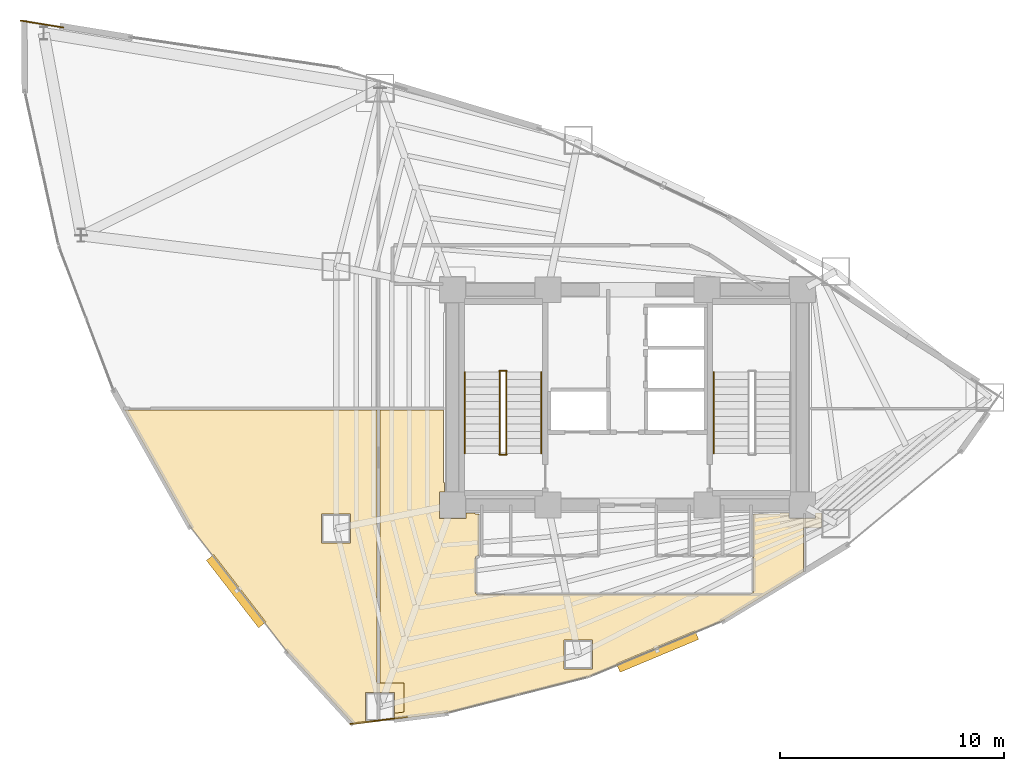
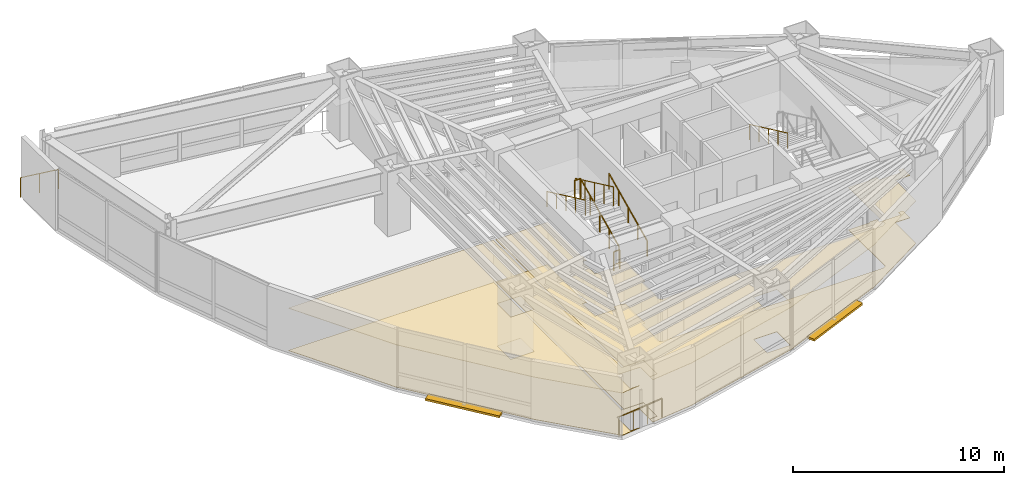
# One storey, part 22 of 23: 9 railings, 4 coverings, 2 shading devices.
"""IFC4 building model written with IfcOpenShell, lengths in metres."""

from ifc_helpers import new_model, si_unit, direction, frame, origin, origin_2d, place, context, subcontext, project, spatial, polyline, rectangle, circle, outline, extrude, material, layer, layer_set, type_object, element, save


model = new_model("IFC4")

# Units and contexts
model_context = context("Model", 3, precision=1e-05, world=origin(), true_north=direction((0.0, 1.0)))
body_context = subcontext(model_context, "Body", "Model", "MODEL_VIEW")
ifc_project = project(units=[si_unit("LENGTHUNIT", "METRE"), si_unit("AREAUNIT", "SQUARE_METRE"), si_unit("VOLUMEUNIT", "CUBIC_METRE"), si_unit("PLANEANGLEUNIT", "RADIAN"), si_unit("MASSUNIT", "GRAM", prefix="KILO")], contexts=[model_context])

# Site, building, storey
site_placement = place(None, origin())
site = spatial("IfcSite", under=ifc_project, at=site_placement, CompositionType="ELEMENT")
building_placement = place(site_placement, origin())
building = spatial("IfcBuilding", under=site, at=building_placement, Name="Menara Vayukalpa", CompositionType="ELEMENT")
storey_placement = place(building_placement, frame((0.0, 0.0, 111.419921875)))
storey = spatial("IfcBuildingStorey", under=building, at=storey_placement, Name="L27", CompositionType="ELEMENT", Elevation=111.419921875)

# Coverings
ifc_material_1 = material(Name="Mineral Fibre Acoustic Ceiling Tile", Category="masonry")
ifc_layer_1 = layer(ifc_material_1, 0.02490234375)
ifc_layer_set_1 = layer_set([ifc_layer_1], Name="Mineral Fibre Acoustic Ceiling Tile")
covering_type_1 = type_object("IfcCoveringType", Name="COV-CLG1", PredefinedType="CEILING", material=ifc_layer_set_1)
covering_1_placement = place(storey_placement, frame((0.0, 0.0, 2.4501953125)))
element("IfcCovering", 1, at=covering_1_placement, inside=storey, type_object=covering_type_1, Name="L27 Open Plan Office Workplace Acoustic Ceiling", PredefinedType="CEILING", context=body_context, shape_type="SweptSolid", body=[
    extrude(outline(polyline([(15.629150390625, 7.968505859375), (15.208984375, 7.916259765625), (15.208984375, 8.842529296875), (13.92919921875, 8.842529296875), (13.92919921875, 7.5625), (14.43994140625, 7.5625), (14.43994140625, 7.556884765625), (14.43994140625, 7.555908203125), (14.439697265625, 7.55517578125), (14.439697265625, 7.55419921875), (14.439208984375, 7.55322265625), (14.43896484375, 7.552490234375), (14.4384765625, 7.551513671875), (14.437744140625, 7.55078125), (14.437255859375, 7.550048828125), (14.4365234375, 7.54931640625), (14.435791015625, 7.548828125), (14.434814453125, 7.54833984375), (14.43408203125, 7.5478515625), (14.43310546875, 7.547607421875), (14.43212890625, 7.547119140625), (14.43115234375, 7.547119140625), (13.4052734375, 7.419189453125), (13.404296875, 7.419189453125), (13.4033203125, 7.419189453125), (13.402587890625, 7.419189453125), (13.401611328125, 7.41943359375), (13.400634765625, 7.419677734375), (13.39990234375, 7.420166015625), (13.39892578125, 7.42041015625), (13.398193359375, 7.421142578125), (13.3974609375, 7.421630859375), (13.396728515625, 7.42236328125), (10.439208984375, 10.650634765625), (10.438720703125, 10.6513671875), (6.10546875, 16.248046875), (6.104736328125, 16.249267578125), (3.193603515625, 21.425048828125), (3.193115234375, 21.426025390625), (3.192626953125, 21.427001953125), (3.1923828125, 21.427978515625), (3.1923828125, 21.4287109375), (3.192138671875, 21.4296875), (3.192138671875, 21.430908203125), (3.1923828125, 21.431884765625), (3.192626953125, 21.432861328125), (3.19287109375, 21.43359375), (3.193359375, 21.4345703125), (3.19384765625, 21.435546875), (3.1943359375, 21.436279296875), (3.195068359375, 21.43701171875), (3.19580078125, 21.437744140625), (3.196533203125, 21.438232421875), (3.197509765625, 21.438720703125), (3.1982421875, 21.439208984375), (3.19921875, 21.439697265625), (3.2001953125, 21.439697265625), (3.201171875, 21.43994140625), (3.2021484375, 21.43994140625), (14.429931640625, 21.43994140625), (14.430908203125, 21.43994140625), (14.431884765625, 21.439697265625), (14.432861328125, 21.439697265625), (14.433837890625, 21.439208984375), (14.434814453125, 21.438720703125), (14.435546875, 21.438232421875), (14.436279296875, 21.437744140625), (14.43701171875, 21.43701171875), (14.437744140625, 21.436279296875), (14.438232421875, 21.435546875), (14.438720703125, 21.434814453125), (14.439208984375, 21.433837890625), (14.439697265625, 21.432861328125), (14.439697265625, 21.431884765625), (14.43994140625, 21.430908203125), (14.43994140625, 21.429931640625), (14.43994140625, 9.2626953125), (15.629150390625, 9.2626953125), (15.629150390625, 7.968505859375)]), holes=[polyline([(13.24658203125, 16.794189453125), (11.966552734375, 16.794189453125), (11.966552734375, 15.514404296875), (13.24658203125, 15.514404296875), (13.24658203125, 16.794189453125)])]), origin(), (0.0, 0.0, 1.0), 0.02490234375),
])
covering_2_placement = place(storey_placement, frame((0.0, 0.0, 2.4501953125)))
element("IfcCovering", 2, at=covering_2_placement, inside=storey, type_object=covering_type_1, Name="L27 Open Plan Office Workplace Acoustic Ceiling", PredefinedType="CEILING", context=body_context, shape_type="SweptSolid", body=[
    extrude(outline(polyline([(13.509033203125, 9.2626953125), (14.56005859375, 9.2626953125), (14.56005859375, 21.429931640625), (14.56005859375, 21.430908203125), (14.560302734375, 21.431884765625), (14.560302734375, 21.432861328125), (14.560791015625, 21.433837890625), (14.561279296875, 21.434814453125), (14.561767578125, 21.435546875), (14.562255859375, 21.436279296875), (14.56298828125, 21.43701171875), (14.563720703125, 21.437744140625), (14.564453125, 21.438232421875), (14.565185546875, 21.438720703125), (14.566162109375, 21.439208984375), (14.567138671875, 21.439697265625), (14.568115234375, 21.439697265625), (14.569091796875, 21.43994140625), (14.570068359375, 21.43994140625), (17.3798828125, 21.43994140625), (17.381103515625, 21.43994140625), (17.382080078125, 21.439697265625), (17.3828125, 21.439697265625), (17.3837890625, 21.439208984375), (17.384765625, 21.438720703125), (17.385498046875, 21.438232421875), (17.38623046875, 21.437744140625), (17.38720703125, 21.43701171875), (17.3876953125, 21.436279296875), (17.38818359375, 21.435546875), (17.388916015625, 21.434814453125), (17.38916015625, 21.433837890625), (17.3896484375, 21.432861328125), (17.389892578125, 21.431884765625), (17.389892578125, 21.430908203125), (17.389892578125, 21.429931640625), (17.389892578125, 18.2099609375), (17.449951171875, 18.2099609375), (17.449951171875, 17.7900390625), (17.2099609375, 17.7900390625), (17.2099609375, 16.610107421875), (18.389892578125, 16.610107421875), (18.389892578125, 16.85009765625), (18.81005859375, 16.85009765625), (18.81005859375, 16.7900390625), (18.97998046875, 16.7900390625), (18.98095703125, 16.7900390625), (18.98193359375, 16.789794921875), (18.98291015625, 16.78955078125), (18.98388671875, 16.789306640625), (18.984619140625, 16.788818359375), (18.985595703125, 16.788330078125), (18.986328125, 16.78759765625), (18.987060546875, 16.787109375), (18.98779296875, 16.786376953125), (18.98828125, 16.78564453125), (18.98876953125, 16.78466796875), (18.9892578125, 16.78369140625), (18.989501953125, 16.782958984375), (18.98974609375, 16.781982421875), (18.989990234375, 16.781005859375), (18.989990234375, 16.780029296875), (18.989990234375, 14.929931640625), (18.989990234375, 14.928955078125), (18.98974609375, 14.927978515625), (18.989501953125, 14.927001953125), (18.9892578125, 14.92626953125), (18.98876953125, 14.92529296875), (18.98828125, 14.92431640625), (18.98779296875, 14.923583984375), (18.987060546875, 14.9228515625), (18.986328125, 14.92236328125), (18.985595703125, 14.921630859375), (18.984619140625, 14.921142578125), (18.98388671875, 14.9208984375), (18.98291015625, 14.92041015625), (18.98193359375, 14.920166015625), (18.98095703125, 14.919921875), (18.97998046875, 14.919921875), (18.900390625, 14.919921875), (18.893310546875, 14.919677734375), (18.88623046875, 14.918701171875), (18.879638671875, 14.9169921875), (18.873291015625, 14.914794921875), (18.866943359375, 14.911865234375), (18.861083984375, 14.908203125), (18.85546875, 14.904052734375), (18.8505859375, 14.8994140625), (18.845947265625, 14.89453125), (18.841796875, 14.888916015625), (18.838134765625, 14.883056640625), (18.835205078125, 14.876708984375), (18.8330078125, 14.870361328125), (18.831298828125, 14.86376953125), (18.830322265625, 14.856689453125), (18.830078125, 14.849609375), (18.830078125, 13.290283203125), (18.830322265625, 13.283203125), (18.831298828125, 13.2763671875), (18.8330078125, 13.269775390625), (18.835205078125, 13.26318359375), (18.838134765625, 13.257080078125), (18.841796875, 13.251220703125), (18.845947265625, 13.24560546875), (18.8505859375, 13.240478515625), (18.85546875, 13.236083984375), (18.861083984375, 13.231689453125), (18.866943359375, 13.228271484375), (18.873291015625, 13.225341796875), (18.879638671875, 13.222900390625), (18.88623046875, 13.22119140625), (18.893310546875, 13.220458984375), (18.900390625, 13.219970703125), (31.048828125, 13.219970703125), (31.055419921875, 13.22021484375), (31.0615234375, 13.22119140625), (31.06787109375, 13.22265625), (31.073974609375, 13.224609375), (31.079833984375, 13.22705078125), (31.085693359375, 13.230224609375), (31.186279296875, 13.29150390625), (31.192138671875, 13.295654296875), (31.19775390625, 13.30029296875), (31.202880859375, 13.305419921875), (31.207275390625, 13.31103515625), (31.2109375, 13.317138671875), (31.214111328125, 13.323486328125), (31.216796875, 13.330078125), (31.218505859375, 13.337158203125), (31.219482421875, 13.34423828125), (31.219970703125, 13.3515625), (31.219970703125, 14.849609375), (31.219482421875, 14.856689453125), (31.21875, 14.86376953125), (31.217041015625, 14.870361328125), (31.214599609375, 14.876708984375), (31.2119140625, 14.8828125), (31.211669921875, 14.883056640625), (31.211181640625, 14.8837890625), (31.210693359375, 14.884765625), (31.21044921875, 14.8857421875), (31.210205078125, 14.88671875), (31.2099609375, 14.8876953125), (31.2099609375, 14.888671875), (31.2099609375, 16.780029296875), (31.2099609375, 16.781005859375), (31.210205078125, 16.781982421875), (31.21044921875, 16.782958984375), (31.210693359375, 16.78369140625), (31.211181640625, 16.78466796875), (31.211669921875, 16.78564453125), (31.21240234375, 16.786376953125), (31.212890625, 16.787109375), (31.213623046875, 16.78759765625), (31.21435546875, 16.788330078125), (31.21533203125, 16.788818359375), (31.21630859375, 16.789306640625), (31.217041015625, 16.78955078125), (31.218017578125, 16.789794921875), (31.218994140625, 16.7900390625), (31.219970703125, 16.7900390625), (32.389892578125, 16.7900390625), (32.389892578125, 16.85009765625), (32.81005859375, 16.85009765625), (32.81005859375, 16.610107421875), (33.989990234375, 16.610107421875), (33.989990234375, 16.85009765625), (34.246826171875, 16.85009765625), (34.246826171875, 16.18994140625), (33.43994140625, 16.18994140625), (33.43994140625, 14.240966796875), (33.440185546875, 14.235107421875), (33.440185546875, 14.23486328125), (33.4404296875, 14.23388671875), (33.4404296875, 14.23291015625), (33.440185546875, 14.23193359375), (33.440185546875, 14.23095703125), (33.439697265625, 14.22998046875), (33.439453125, 14.229248046875), (33.43896484375, 14.228271484375), (33.4384765625, 14.2275390625), (33.437744140625, 14.226806640625), (33.43701171875, 14.22607421875), (33.436279296875, 14.2255859375), (33.435546875, 14.22509765625), (29.862060546875, 12.05419921875), (29.861328125, 12.0537109375), (29.860595703125, 12.053466796875), (23.90478515625, 9.562255859375), (23.903564453125, 9.561767578125), (17.50927734375, 7.930908203125), (17.5078125, 7.9306640625), (15.208984375, 7.64404296875), (15.208984375, 8.842529296875), (13.92919921875, 8.842529296875), (13.92919921875, 7.756591796875), (13.509033203125, 7.7041015625), (13.509033203125, 9.2626953125)]), holes=[polyline([(24.048095703125, 11.172607421875), (22.768310546875, 11.172607421875), (22.768310546875, 9.892578125), (24.048095703125, 9.892578125), (24.048095703125, 11.172607421875)])]), origin(), (0.0, 0.0, 1.0), 0.02490234375),
])
ifc_material_2 = material(Name="Porcelain Stoneware Floor Tile", Category="masonry")
ifc_layer_2 = layer(ifc_material_2, 0.02001953125)
ifc_layer_set_2 = layer_set([ifc_layer_2], Name="Porcelain Stoneware Floor Tile")
covering_type_2 = type_object("IfcCoveringType", Name="COV-FLR1", PredefinedType="FLOORING", material=ifc_layer_set_2)
covering_3_placement = place(storey_placement, origin())
element("IfcCovering", 3, at=covering_3_placement, inside=storey, type_object=covering_type_2, Name="L27 Open Plan Office Workplace Porcelain Flooring", PredefinedType="FLOORING", context=body_context, shape_type="SweptSolid", body=[
    extrude(outline(polyline([(15.629150390625, 7.968505859375), (15.208984375, 7.916259765625), (15.208984375, 8.842529296875), (13.92919921875, 8.842529296875), (13.92919921875, 7.5625), (14.43994140625, 7.5625), (14.43994140625, 7.556884765625), (14.43994140625, 7.555908203125), (14.439697265625, 7.55517578125), (14.439697265625, 7.55419921875), (14.439208984375, 7.55322265625), (14.43896484375, 7.552490234375), (14.4384765625, 7.551513671875), (14.437744140625, 7.55078125), (14.437255859375, 7.550048828125), (14.4365234375, 7.54931640625), (14.435791015625, 7.548828125), (14.434814453125, 7.54833984375), (14.43408203125, 7.5478515625), (14.43310546875, 7.547607421875), (14.43212890625, 7.547119140625), (14.43115234375, 7.547119140625), (13.4052734375, 7.419189453125), (13.404296875, 7.419189453125), (13.4033203125, 7.419189453125), (13.402587890625, 7.419189453125), (13.401611328125, 7.41943359375), (13.400634765625, 7.419677734375), (13.39990234375, 7.420166015625), (13.39892578125, 7.42041015625), (13.398193359375, 7.421142578125), (13.3974609375, 7.421630859375), (13.396728515625, 7.42236328125), (10.439208984375, 10.650634765625), (10.438720703125, 10.6513671875), (6.10546875, 16.248046875), (6.104736328125, 16.249267578125), (3.193603515625, 21.425048828125), (3.193115234375, 21.426025390625), (3.192626953125, 21.427001953125), (3.1923828125, 21.427978515625), (3.1923828125, 21.4287109375), (3.192138671875, 21.4296875), (3.192138671875, 21.430908203125), (3.1923828125, 21.431884765625), (3.192626953125, 21.432861328125), (3.19287109375, 21.43359375), (3.193359375, 21.4345703125), (3.19384765625, 21.435546875), (3.1943359375, 21.436279296875), (3.195068359375, 21.43701171875), (3.19580078125, 21.437744140625), (3.196533203125, 21.438232421875), (3.197509765625, 21.438720703125), (3.1982421875, 21.439208984375), (3.19921875, 21.439697265625), (3.2001953125, 21.439697265625), (3.201171875, 21.43994140625), (3.2021484375, 21.43994140625), (14.429931640625, 21.43994140625), (14.430908203125, 21.43994140625), (14.431884765625, 21.439697265625), (14.432861328125, 21.439697265625), (14.433837890625, 21.439208984375), (14.434814453125, 21.438720703125), (14.435546875, 21.438232421875), (14.436279296875, 21.437744140625), (14.43701171875, 21.43701171875), (14.437744140625, 21.436279296875), (14.438232421875, 21.435546875), (14.438720703125, 21.434814453125), (14.439208984375, 21.433837890625), (14.439697265625, 21.432861328125), (14.439697265625, 21.431884765625), (14.43994140625, 21.430908203125), (14.43994140625, 21.429931640625), (14.43994140625, 9.2626953125), (15.629150390625, 9.2626953125), (15.629150390625, 7.968505859375)]), holes=[polyline([(13.24658203125, 16.794189453125), (11.966552734375, 16.794189453125), (11.966552734375, 15.514404296875), (13.24658203125, 15.514404296875), (13.24658203125, 16.794189453125)])]), origin(), (0.0, 0.0, 1.0), 0.02001953125),
])
covering_4_placement = place(storey_placement, origin())
element("IfcCovering", 4, at=covering_4_placement, inside=storey, type_object=covering_type_2, Name="L27 Open Plan Office Workplace Porcelain Flooring", PredefinedType="FLOORING", context=body_context, shape_type="SweptSolid", body=[
    extrude(outline(polyline([(13.509033203125, 9.2626953125), (14.56005859375, 9.2626953125), (14.56005859375, 21.429931640625), (14.56005859375, 21.430908203125), (14.560302734375, 21.431884765625), (14.560302734375, 21.432861328125), (14.560791015625, 21.433837890625), (14.561279296875, 21.434814453125), (14.561767578125, 21.435546875), (14.562255859375, 21.436279296875), (14.56298828125, 21.43701171875), (14.563720703125, 21.437744140625), (14.564453125, 21.438232421875), (14.565185546875, 21.438720703125), (14.566162109375, 21.439208984375), (14.567138671875, 21.439697265625), (14.568115234375, 21.439697265625), (14.569091796875, 21.43994140625), (14.570068359375, 21.43994140625), (17.3798828125, 21.43994140625), (17.381103515625, 21.43994140625), (17.382080078125, 21.439697265625), (17.3828125, 21.439697265625), (17.3837890625, 21.439208984375), (17.384765625, 21.438720703125), (17.385498046875, 21.438232421875), (17.38623046875, 21.437744140625), (17.38720703125, 21.43701171875), (17.3876953125, 21.436279296875), (17.38818359375, 21.435546875), (17.388916015625, 21.434814453125), (17.38916015625, 21.433837890625), (17.3896484375, 21.432861328125), (17.389892578125, 21.431884765625), (17.389892578125, 21.430908203125), (17.389892578125, 21.429931640625), (17.389892578125, 18.2099609375), (17.449951171875, 18.2099609375), (17.449951171875, 17.7900390625), (17.2099609375, 17.7900390625), (17.2099609375, 16.610107421875), (18.389892578125, 16.610107421875), (18.389892578125, 16.85009765625), (18.81005859375, 16.85009765625), (18.81005859375, 16.7900390625), (18.97998046875, 16.7900390625), (18.98095703125, 16.7900390625), (18.98193359375, 16.789794921875), (18.98291015625, 16.78955078125), (18.98388671875, 16.789306640625), (18.984619140625, 16.788818359375), (18.985595703125, 16.788330078125), (18.986328125, 16.78759765625), (18.987060546875, 16.787109375), (18.98779296875, 16.786376953125), (18.98828125, 16.78564453125), (18.98876953125, 16.78466796875), (18.9892578125, 16.78369140625), (18.989501953125, 16.782958984375), (18.98974609375, 16.781982421875), (18.989990234375, 16.781005859375), (18.989990234375, 16.780029296875), (18.989990234375, 14.929931640625), (18.989990234375, 14.928955078125), (18.98974609375, 14.927978515625), (18.989501953125, 14.927001953125), (18.9892578125, 14.92626953125), (18.98876953125, 14.92529296875), (18.98828125, 14.92431640625), (18.98779296875, 14.923583984375), (18.987060546875, 14.9228515625), (18.986328125, 14.92236328125), (18.985595703125, 14.921630859375), (18.984619140625, 14.921142578125), (18.98388671875, 14.9208984375), (18.98291015625, 14.92041015625), (18.98193359375, 14.920166015625), (18.98095703125, 14.919921875), (18.97998046875, 14.919921875), (18.900390625, 14.919921875), (18.893310546875, 14.919677734375), (18.88623046875, 14.918701171875), (18.879638671875, 14.9169921875), (18.873291015625, 14.914794921875), (18.866943359375, 14.911865234375), (18.861083984375, 14.908203125), (18.85546875, 14.904052734375), (18.8505859375, 14.8994140625), (18.845947265625, 14.89453125), (18.841796875, 14.888916015625), (18.838134765625, 14.883056640625), (18.835205078125, 14.876708984375), (18.8330078125, 14.870361328125), (18.831298828125, 14.86376953125), (18.830322265625, 14.856689453125), (18.830078125, 14.849609375), (18.830078125, 13.290283203125), (18.830322265625, 13.283203125), (18.831298828125, 13.2763671875), (18.8330078125, 13.269775390625), (18.835205078125, 13.26318359375), (18.838134765625, 13.257080078125), (18.841796875, 13.251220703125), (18.845947265625, 13.24560546875), (18.8505859375, 13.240478515625), (18.85546875, 13.236083984375), (18.861083984375, 13.231689453125), (18.866943359375, 13.228271484375), (18.873291015625, 13.225341796875), (18.879638671875, 13.222900390625), (18.88623046875, 13.22119140625), (18.893310546875, 13.220458984375), (18.900390625, 13.219970703125), (31.048828125, 13.219970703125), (31.055419921875, 13.22021484375), (31.0615234375, 13.22119140625), (31.06787109375, 13.22265625), (31.073974609375, 13.224609375), (31.079833984375, 13.22705078125), (31.085693359375, 13.230224609375), (31.186279296875, 13.29150390625), (31.192138671875, 13.295654296875), (31.19775390625, 13.30029296875), (31.202880859375, 13.305419921875), (31.207275390625, 13.31103515625), (31.2109375, 13.317138671875), (31.214111328125, 13.323486328125), (31.216796875, 13.330078125), (31.218505859375, 13.337158203125), (31.219482421875, 13.34423828125), (31.219970703125, 13.3515625), (31.219970703125, 14.849609375), (31.219482421875, 14.856689453125), (31.21875, 14.86376953125), (31.217041015625, 14.870361328125), (31.214599609375, 14.876708984375), (31.2119140625, 14.8828125), (31.211669921875, 14.883056640625), (31.211181640625, 14.8837890625), (31.210693359375, 14.884765625), (31.21044921875, 14.8857421875), (31.210205078125, 14.88671875), (31.2099609375, 14.8876953125), (31.2099609375, 14.888671875), (31.2099609375, 16.780029296875), (31.2099609375, 16.781005859375), (31.210205078125, 16.781982421875), (31.21044921875, 16.782958984375), (31.210693359375, 16.78369140625), (31.211181640625, 16.78466796875), (31.211669921875, 16.78564453125), (31.21240234375, 16.786376953125), (31.212890625, 16.787109375), (31.213623046875, 16.78759765625), (31.21435546875, 16.788330078125), (31.21533203125, 16.788818359375), (31.21630859375, 16.789306640625), (31.217041015625, 16.78955078125), (31.218017578125, 16.789794921875), (31.218994140625, 16.7900390625), (31.219970703125, 16.7900390625), (32.389892578125, 16.7900390625), (32.389892578125, 16.85009765625), (32.81005859375, 16.85009765625), (32.81005859375, 16.610107421875), (33.989990234375, 16.610107421875), (33.989990234375, 16.85009765625), (34.246826171875, 16.85009765625), (34.246826171875, 16.18994140625), (33.43994140625, 16.18994140625), (33.43994140625, 14.240966796875), (33.440185546875, 14.235107421875), (33.440185546875, 14.23486328125), (33.4404296875, 14.23388671875), (33.4404296875, 14.23291015625), (33.440185546875, 14.23193359375), (33.440185546875, 14.23095703125), (33.439697265625, 14.22998046875), (33.439453125, 14.229248046875), (33.43896484375, 14.228271484375), (33.4384765625, 14.2275390625), (33.437744140625, 14.226806640625), (33.43701171875, 14.22607421875), (33.436279296875, 14.2255859375), (33.435546875, 14.22509765625), (29.862060546875, 12.05419921875), (29.861328125, 12.0537109375), (29.860595703125, 12.053466796875), (23.90478515625, 9.562255859375), (23.903564453125, 9.561767578125), (17.50927734375, 7.930908203125), (17.5078125, 7.9306640625), (15.208984375, 7.64404296875), (15.208984375, 8.842529296875), (13.92919921875, 8.842529296875), (13.92919921875, 7.756591796875), (13.509033203125, 7.7041015625), (13.509033203125, 9.2626953125)]), holes=[polyline([(24.048095703125, 11.172607421875), (22.768310546875, 11.172607421875), (22.768310546875, 9.892578125), (24.048095703125, 9.892578125), (24.048095703125, 11.172607421875)])]), origin(), (0.0, 0.0, 1.0), 0.02001953125),
])

# Railings
ifc_material_3 = material(Name="Laminated Glass and Stainless Steel 316 Guardrail", Category="steel")
railing_type_1 = type_object("IfcRailingType", Name="RLG-EXT115", PredefinedType="GUARDRAIL", material=ifc_material_3)
railing_1_placement = place(storey_placement, frame((0.4375, 38.49267578125, 0.0)))
element("IfcRailing", 5, at=railing_1_placement, inside=storey, type_object=railing_type_1, Name="L27 Column Corner Spandrel Guardrail 07-1", PredefinedType="GUARDRAIL", context=body_context, shape_type="SweptSolid", body=[
    extrude(circle(Radius=0.02392578125, at=origin_2d()), frame((0.0, 0.0, 1.1259765625), z_axis=(-0.98707028177, 0.160288049607, 0.0), x_axis=(-0.160288049607, -0.98707028177, 0.0)), (0.0, 0.0, 1.0), 1.9267578125),
    extrude(circle(Radius=0.02099609375, at=origin_2d()), origin(), (0.0, 0.0, 1.0), 1.101806640625),
    extrude(circle(Radius=0.02099609375, at=origin_2d()), frame((-0.950927734375, 0.154296875, 0.0)), (0.0, 0.0, 1.0), 1.101806640625),
    extrude(circle(Radius=0.02099609375, at=origin_2d()), frame((-1.90185546875, 0.308837890625, 0.0)), (0.0, 0.0, 1.0), 1.101806640625),
])
railing_2_placement = place(storey_placement, frame((13.231201171875, 7.437744140625, 0.0)))
element("IfcRailing", 6, at=railing_2_placement, inside=storey, type_object=railing_type_1, Name="L27 Column Corner Spandrel Guardrail 14-1", PredefinedType="GUARDRAIL", context=body_context, shape_type="SweptSolid", body=[
    extrude(circle(Radius=0.02392578125, at=origin_2d()), frame((0.0, 0.0, 1.1259765625), z_axis=(0.992317327434, 0.12371871998, 0.0), x_axis=(-0.12371871998, 0.992317327434, 0.0)), (0.0, 0.0, 1.0), 2.5673828125),
    extrude(circle(Radius=0.02099609375, at=origin_2d()), origin(), (0.0, 0.0, 1.0), 1.101806640625),
    extrude(circle(Radius=0.02099609375, at=origin_2d()), frame((0.84912109375, 0.10595703125, 0.0)), (0.0, 0.0, 1.0), 1.101806640625),
    extrude(circle(Radius=0.02099609375, at=origin_2d()), frame((1.698486328125, 0.211669921875, 0.0)), (0.0, 0.0, 1.0), 1.101806640625),
    extrude(circle(Radius=0.02099609375, at=origin_2d()), frame((2.547607421875, 0.317626953125, 0.0)), (0.0, 0.0, 1.0), 1.101806640625),
])
ifc_material_4 = material(Name="Powder-Coated Galvanised Steel Guardrail", Category="steel")
railing_type_2 = type_object("IfcRailingType", Name="RLG-STG110", PredefinedType="GUARDRAIL", material=ifc_material_4)
railing_3_placement = place(storey_placement, frame((20.199951171875, 19.5, 0.155029296875)))
element("IfcRailing", 7, at=railing_3_placement, inside=storey, type_object=railing_type_2, Name="L27 ST-1 stair guard 1", PredefinedType="GUARDRAIL", context=body_context, shape_type="SweptSolid", body=[
    extrude(circle(Radius=0.02392578125, at=origin_2d()), frame((0.0, 0.0, 1.09619140625), z_axis=(0.0, 0.90511648382, 0.425163675209), x_axis=(-1.0, 0.0, 0.0)), (0.0, 0.0, 1.0), 4.010498046875),
    extrude(circle(Radius=0.02099609375, at=origin_2d()), origin(), (0.0, 0.0, 1.0), 1.072021484375),
    extrude(circle(Radius=0.02099609375, at=origin_2d()), frame((0.0, 0.907470703125, 0.42626953125)), (0.0, 0.0, 1.0), 1.072021484375),
    extrude(circle(Radius=0.02099609375, at=origin_2d()), frame((0.0, 1.81494140625, 0.8525390625)), (0.0, 0.0, 1.0), 1.072021484375),
    extrude(circle(Radius=0.02099609375, at=origin_2d()), frame((0.0, 2.722412109375, 1.27880859375)), (0.0, 0.0, 1.0), 1.072021484375),
    extrude(circle(Radius=0.02099609375, at=origin_2d()), frame((0.0, 3.6298828125, 1.705078125)), (0.0, 0.0, 1.0), 1.072021484375),
])
railing_4_placement = place(storey_placement, frame((20.2099609375, 23.179931640625, 1.860107421875)))
element("IfcRailing", 8, at=railing_4_placement, inside=storey, type_object=railing_type_2, Name="L27 ST-1 stair guard 2", PredefinedType="GUARDRAIL", context=body_context, shape_type="SweptSolid", body=[
    extrude(circle(Radius=0.02392578125, at=origin_2d()), frame((0.0, 0.0, 1.09619140625), z_axis=(-1.0, 0.0, 0.0), x_axis=(0.0, -1.0, 0.0)), (0.0, 0.0, 1.0), 0.320068359375),
    extrude(circle(Radius=0.02099609375, at=origin_2d()), origin(), (0.0, 0.0, 1.0), 1.072021484375),
    extrude(circle(Radius=0.02099609375, at=origin_2d()), frame((-0.320068359375, 0.0, 0.0)), (0.0, 0.0, 1.0), 1.072021484375),
])
railing_5_placement = place(storey_placement, frame((19.89990234375, 23.1298828125, 2.01513671875)))
element("IfcRailing", 9, at=railing_5_placement, inside=storey, type_object=railing_type_2, Name="L27 ST-1 stair guard 3", PredefinedType="GUARDRAIL", context=body_context, shape_type="SweptSolid", body=[
    extrude(circle(Radius=0.02392578125, at=origin_2d()), frame((0.0, 0.0, 1.09619140625), z_axis=(0.0, -0.90513990983, 0.425113800803), x_axis=(1.0, 0.0, 0.0)), (0.0, 0.0, 1.0), 4.01025390625),
    extrude(circle(Radius=0.02099609375, at=origin_2d()), origin(), (0.0, 0.0, 1.0), 1.072021484375),
    extrude(circle(Radius=0.02099609375, at=origin_2d()), frame((0.0, -0.907470703125, 0.42626953125)), (0.0, 0.0, 1.0), 1.072021484375),
    extrude(circle(Radius=0.02099609375, at=origin_2d()), frame((0.0, -1.81494140625, 0.8525390625)), (0.0, 0.0, 1.0), 1.072021484375),
    extrude(circle(Radius=0.02099609375, at=origin_2d()), frame((0.0, -2.722412109375, 1.278564453125)), (0.0, 0.0, 1.0), 1.072021484375),
    extrude(circle(Radius=0.02099609375, at=origin_2d()), frame((0.0, -3.6298828125, 1.704833984375)), (0.0, 0.0, 1.0), 1.072021484375),
])
railing_6_placement = place(storey_placement, frame((20.2099609375, 19.449951171875, 0.0)))
element("IfcRailing", 10, at=railing_6_placement, inside=storey, type_object=railing_type_2, Name="L27 ST-1 stair guard 4", PredefinedType="GUARDRAIL", context=body_context, shape_type="SweptSolid", body=[
    extrude(circle(Radius=0.02392578125, at=origin_2d()), frame((0.0, 0.0, 1.09619140625), z_axis=(-1.0, 0.0, 0.0), x_axis=(0.0, -1.0, 0.0)), (0.0, 0.0, 1.0), 0.320068359375),
    extrude(circle(Radius=0.02099609375, at=origin_2d()), origin(), (0.0, 0.0, 1.0), 1.072021484375),
    extrude(circle(Radius=0.02099609375, at=origin_2d()), frame((-0.320068359375, 0.0, 0.0)), (0.0, 0.0, 1.0), 1.072021484375),
])
ifc_material_5 = material(Name="Stainless Steel 316 Tubular Handrail", Category="steel")
railing_type_3 = type_object("IfcRailingType", Name="RLG-STH090", PredefinedType="HANDRAIL", material=ifc_material_5)
railing_7_placement = place(storey_placement, frame((21.75, 19.5, 0.155029296875)))
element("IfcRailing", 11, at=railing_7_placement, inside=storey, type_object=railing_type_3, Name="L27 ST-1 stair handrail 1", PredefinedType="HANDRAIL", context=body_context, shape_type="SweptSolid", body=[
    extrude(circle(Radius=0.02392578125, at=origin_2d()), frame((0.0, 0.0, 0.8759765625), z_axis=(0.0, 0.90511648382, 0.425163675209), x_axis=(-1.0, 0.0, 0.0)), (0.0, 0.0, 1.0), 4.010498046875),
    extrude(circle(Radius=0.02099609375, at=origin_2d()), origin(), (0.0, 0.0, 1.0), 0.851806640625),
    extrude(circle(Radius=0.02099609375, at=origin_2d()), frame((0.0, 0.907470703125, 0.42626953125)), (0.0, 0.0, 1.0), 0.851806640625),
    extrude(circle(Radius=0.02099609375, at=origin_2d()), frame((0.0, 1.81494140625, 0.8525390625)), (0.0, 0.0, 1.0), 0.851806640625),
    extrude(circle(Radius=0.02099609375, at=origin_2d()), frame((0.0, 2.722412109375, 1.27880859375)), (0.0, 0.0, 1.0), 0.851806640625),
    extrude(circle(Radius=0.02099609375, at=origin_2d()), frame((0.0, 3.6298828125, 1.705078125)), (0.0, 0.0, 1.0), 0.851806640625),
])
for number, where, name in (
    (12, (18.35009765625, 23.1298828125, 2.01513671875), "L27 ST-1 stair handrail 2"),
    (13, (29.449951171875, 23.1298828125, 2.01513671875), "L27 ST-2 stair handrail 2"),
):
    element("IfcRailing", number, at=place(storey_placement, frame(where)), inside=storey, type_object=railing_type_3, Name=name, PredefinedType="HANDRAIL", context=body_context, shape_type="SweptSolid", body=[
        extrude(circle(Radius=0.02392578125, at=origin_2d()), frame((0.0, 0.0, 0.8759765625), z_axis=(0.0, -0.90513990983, 0.425113800803), x_axis=(1.0, 0.0, 0.0)), (0.0, 0.0, 1.0), 4.01025390625),
        extrude(circle(Radius=0.02099609375, at=origin_2d()), origin(), (0.0, 0.0, 1.0), 0.851806640625),
        extrude(circle(Radius=0.02099609375, at=origin_2d()), frame((0.0, -0.907470703125, 0.42626953125)), (0.0, 0.0, 1.0), 0.851806640625),
        extrude(circle(Radius=0.02099609375, at=origin_2d()), frame((0.0, -1.81494140625, 0.8525390625)), (0.0, 0.0, 1.0), 0.851806640625),
        extrude(circle(Radius=0.02099609375, at=origin_2d()), frame((0.0, -2.722412109375, 1.278564453125)), (0.0, 0.0, 1.0), 0.851806640625),
        extrude(circle(Radius=0.02099609375, at=origin_2d()), frame((0.0, -3.6298828125, 1.704833984375)), (0.0, 0.0, 1.0), 0.851806640625),
    ])

# Shading devices
ifc_material_6 = material(Name="Glazed Terracotta Ceramic Baguette Extrusion", Category="masonry")
ifc_layer_3 = layer(ifc_material_6, 0.1201171875)
ifc_layer_set_3 = layer_set([ifc_layer_3], Name="Glazed Terracotta Ceramic Baguette Extrusion")
shading_device_type = type_object("IfcShadingDeviceType", Name="SHD-SS1", PredefinedType="USERDEFINED", material=ifc_layer_set_3)
for number, where, z_axis, x_axis, name in (
    (14, (8.1533203125, 13.358154296875, -0.10009765625), (0.0, 0.0, 1.0), (0.612189679389, -0.790710943677, 0.0), "L27 Horizontal Terracotta Sunshade Band 13"),
    (15, (26.940673828125, 10.66943359375, -0.10009765625), (0.0, 0.0, 1.0), (0.922544824647, 0.385889940938, 0.0), "L27 Horizontal Terracotta Sunshade Band 17"),
):
    element("IfcShadingDevice", number, at=place(storey_placement, frame(where, z_axis=z_axis, x_axis=x_axis)), inside=storey, type_object=shading_device_type, Name=name, ObjectType="SUNSHADE", PredefinedType="USERDEFINED", context=body_context, shape_type="SweptSolid", body=[
        extrude(rectangle(XDim=3.800048828125, YDim=0.419921875, at=origin_2d()), origin(), (0.0, 0.0, 1.0), 0.1201171875),
    ])

save(model, "model.ifc")
